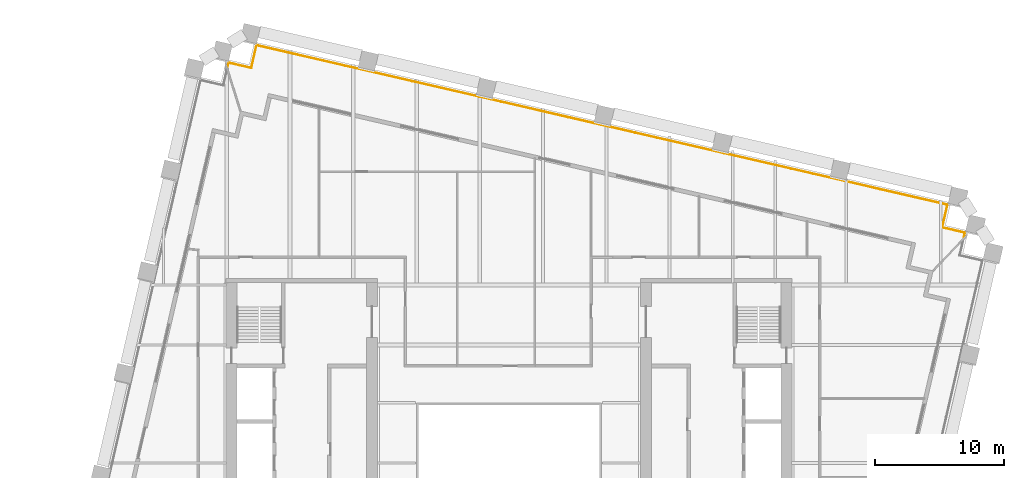
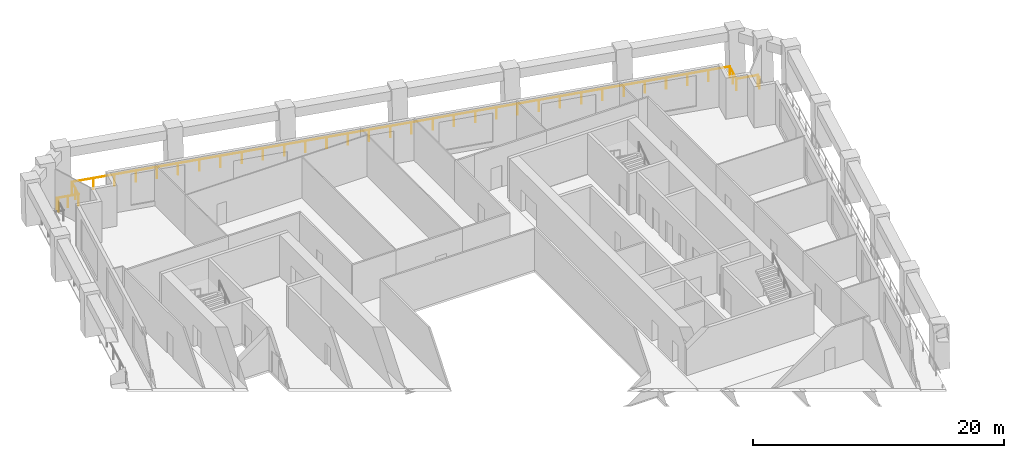
# One storey, part 10 of 10: 1 railing.
"""IFC4 building model written with IfcOpenShell, lengths in metres."""

from ifc_helpers import new_model, si_unit, direction, frame, origin, origin_2d, place, context, subcontext, project, spatial, circle, extrude, material, type_object, element, save


model = new_model("IFC4")

# Units and contexts
model_context = context("Model", 3, precision=1e-05, world=origin(), true_north=direction((0.0, 1.0)))
body_context = subcontext(model_context, "Body", "Model", "MODEL_VIEW")
ifc_project = project(units=[si_unit("LENGTHUNIT", "METRE"), si_unit("AREAUNIT", "SQUARE_METRE"), si_unit("VOLUMEUNIT", "CUBIC_METRE"), si_unit("PLANEANGLEUNIT", "RADIAN"), si_unit("MASSUNIT", "GRAM", prefix="KILO")], contexts=[model_context])

# Site, building, storey
site_placement = place(None, origin())
site = spatial("IfcSite", under=ifc_project, at=site_placement, CompositionType="ELEMENT")
building_placement = place(site_placement, origin())
building = spatial("IfcBuilding", under=site, at=building_placement, Name="Ogive Exchange Tower", CompositionType="ELEMENT")
storey_placement = place(building_placement, frame((0.0, 0.0, 118.199951171875)))
storey = spatial("IfcBuildingStorey", under=building, at=storey_placement, Name="L25", CompositionType="ELEMENT", Elevation=118.199951171875)

# Railing
ifc_material = material(Name="Stainless steel 316", Category="steel")
railing_type = type_object("IfcRailingType", Name="Guard 1100 stainless steel and glass", PredefinedType="GUARDRAIL", material=ifc_material)
railing_placement = place(storey_placement, frame((-21.733642578125, 42.078125, -0.050048828125)))
element("IfcRailing", 1, at=railing_placement, inside=storey, type_object=railing_type, Name="Loggia guard 3", PredefinedType="GUARDRAIL", context=body_context, shape_type="SweptSolid", body=[
    extrude(circle(Radius=0.02392578125, at=origin_2d()), frame((0.0, 0.0, 1.076171875), z_axis=(0.224444498611, 0.974486873715, 0.0), x_axis=(-0.974486873715, 0.224444498611, 0.0)), (0.0, 0.0, 1.0), 0.34375),
    extrude(circle(Radius=0.02392578125, at=origin_2d()), frame((0.0771484375, 0.3349609375, 1.076171875), z_axis=(0.974356896201, -0.225008086135, 0.0), x_axis=(0.225008086135, 0.974356896201, 0.0)), (0.0, 0.0, 1.0), 1.800048828125),
    extrude(circle(Radius=0.02392578125, at=origin_2d()), frame((1.8310546875, -0.070068359375, 1.076171875), z_axis=(0.225008086135, 0.974356896201, 0.0), x_axis=(-0.974356896201, 0.225008086135, 0.0)), (0.0, 0.0, 1.0), 1.800048828125),
    extrude(circle(Radius=0.02392578125, at=origin_2d()), frame((2.236083984375, 1.683837890625, 1.076171875), z_axis=(0.974369851199, -0.224951979483, 0.0), x_axis=(0.224951979483, 0.974369851199, 0.0)), (0.0, 0.0, 1.0), 54.760009765625),
    extrude(circle(Radius=0.02392578125, at=origin_2d()), frame((55.592529296875, -10.634521484375, 1.076171875), z_axis=(-0.224879318197, -0.974386623598, 0.0), x_axis=(0.974386623598, -0.224879318197, 0.0)), (0.0, 0.0, 1.0), 1.800048828125),
    extrude(circle(Radius=0.02392578125, at=origin_2d()), frame((55.187744140625, -12.388427734375, 1.076171875), z_axis=(0.974379763188, -0.224909041816, 0.0), x_axis=(0.224909041816, 0.974379763188, 0.0)), (0.0, 0.0, 1.0), 1.7998046875),
    extrude(circle(Radius=0.02392578125, at=origin_2d()), frame((56.94140625, -12.793212890625, 1.076171875), z_axis=(-0.224599951771, -0.974451056577, 0.0), x_axis=(0.974451056577, -0.224599951771, 0.0)), (0.0, 0.0, 1.0), 0.343505859375),
    extrude(circle(Radius=0.02099609375, at=origin_2d()), origin(), (0.0, 0.0, 1.0), 1.052001953125),
    extrude(circle(Radius=0.02099609375, at=origin_2d()), frame((0.0771484375, 0.3349609375, 0.0)), (0.0, 0.0, 1.0), 1.052001953125),
    extrude(circle(Radius=0.02099609375, at=origin_2d()), frame((0.9541015625, 0.13232421875, 0.0)), (0.0, 0.0, 1.0), 1.052001953125),
    extrude(circle(Radius=0.02099609375, at=origin_2d()), frame((1.8310546875, -0.070068359375, 0.0)), (0.0, 0.0, 1.0), 1.052001953125),
    extrude(circle(Radius=0.02099609375, at=origin_2d()), frame((2.03369140625, 0.806884765625, 0.0)), (0.0, 0.0, 1.0), 1.052001953125),
    extrude(circle(Radius=0.02099609375, at=origin_2d()), frame((2.236083984375, 1.683837890625, 0.0)), (0.0, 0.0, 1.0), 1.052001953125),
    extrude(circle(Radius=0.02099609375, at=origin_2d()), frame((3.957275390625, 1.286376953125, 0.0)), (0.0, 0.0, 1.0), 1.052001953125),
    extrude(circle(Radius=0.02099609375, at=origin_2d()), frame((5.678466796875, 0.88916015625, 0.0)), (0.0, 0.0, 1.0), 1.052001953125),
    extrude(circle(Radius=0.02099609375, at=origin_2d()), frame((7.399658203125, 0.49169921875, 0.0)), (0.0, 0.0, 1.0), 1.052001953125),
    extrude(circle(Radius=0.02099609375, at=origin_2d()), frame((9.120849609375, 0.094482421875, 0.0)), (0.0, 0.0, 1.0), 1.052001953125),
    extrude(circle(Radius=0.02099609375, at=origin_2d()), frame((10.842041015625, -0.302978515625, 0.0)), (0.0, 0.0, 1.0), 1.052001953125),
    extrude(circle(Radius=0.02099609375, at=origin_2d()), frame((12.563232421875, -0.700439453125, 0.0)), (0.0, 0.0, 1.0), 1.052001953125),
    extrude(circle(Radius=0.02099609375, at=origin_2d()), frame((14.284423828125, -1.09765625, 0.0)), (0.0, 0.0, 1.0), 1.052001953125),
    extrude(circle(Radius=0.02099609375, at=origin_2d()), frame((16.00537109375, -1.4951171875, 0.0)), (0.0, 0.0, 1.0), 1.052001953125),
    extrude(circle(Radius=0.02099609375, at=origin_2d()), frame((17.7265625, -1.892578125, 0.0)), (0.0, 0.0, 1.0), 1.052001953125),
    extrude(circle(Radius=0.02099609375, at=origin_2d()), frame((19.44775390625, -2.289794921875, 0.0)), (0.0, 0.0, 1.0), 1.052001953125),
    extrude(circle(Radius=0.02099609375, at=origin_2d()), frame((21.1689453125, -2.687255859375, 0.0)), (0.0, 0.0, 1.0), 1.052001953125),
    extrude(circle(Radius=0.02099609375, at=origin_2d()), frame((22.89013671875, -3.08447265625, 0.0)), (0.0, 0.0, 1.0), 1.052001953125),
    extrude(circle(Radius=0.02099609375, at=origin_2d()), frame((24.611328125, -3.48193359375, 0.0)), (0.0, 0.0, 1.0), 1.052001953125),
    extrude(circle(Radius=0.02099609375, at=origin_2d()), frame((26.33251953125, -3.87939453125, 0.0)), (0.0, 0.0, 1.0), 1.052001953125),
    extrude(circle(Radius=0.02099609375, at=origin_2d()), frame((28.0537109375, -4.276611328125, 0.0)), (0.0, 0.0, 1.0), 1.052001953125),
    extrude(circle(Radius=0.02099609375, at=origin_2d()), frame((29.77490234375, -4.674072265625, 0.0)), (0.0, 0.0, 1.0), 1.052001953125),
    extrude(circle(Radius=0.02099609375, at=origin_2d()), frame((31.49609375, -5.0712890625, 0.0)), (0.0, 0.0, 1.0), 1.052001953125),
    extrude(circle(Radius=0.02099609375, at=origin_2d()), frame((33.21728515625, -5.46875, 0.0)), (0.0, 0.0, 1.0), 1.052001953125),
    extrude(circle(Radius=0.02099609375, at=origin_2d()), frame((34.9384765625, -5.8662109375, 0.0)), (0.0, 0.0, 1.0), 1.052001953125),
    extrude(circle(Radius=0.02099609375, at=origin_2d()), frame((36.65966796875, -6.263427734375, 0.0)), (0.0, 0.0, 1.0), 1.052001953125),
    extrude(circle(Radius=0.02099609375, at=origin_2d()), frame((38.380859375, -6.660888671875, 0.0)), (0.0, 0.0, 1.0), 1.052001953125),
    extrude(circle(Radius=0.02099609375, at=origin_2d()), frame((40.10205078125, -7.05810546875, 0.0)), (0.0, 0.0, 1.0), 1.052001953125),
    extrude(circle(Radius=0.02099609375, at=origin_2d()), frame((41.8232421875, -7.45556640625, 0.0)), (0.0, 0.0, 1.0), 1.052001953125),
    extrude(circle(Radius=0.02099609375, at=origin_2d()), frame((43.544189453125, -7.85302734375, 0.0)), (0.0, 0.0, 1.0), 1.052001953125),
    extrude(circle(Radius=0.02099609375, at=origin_2d()), frame((45.265380859375, -8.250244140625, 0.0)), (0.0, 0.0, 1.0), 1.052001953125),
    extrude(circle(Radius=0.02099609375, at=origin_2d()), frame((46.986572265625, -8.647705078125, 0.0)), (0.0, 0.0, 1.0), 1.052001953125),
    extrude(circle(Radius=0.02099609375, at=origin_2d()), frame((48.707763671875, -9.045166015625, 0.0)), (0.0, 0.0, 1.0), 1.052001953125),
    extrude(circle(Radius=0.02099609375, at=origin_2d()), frame((50.428955078125, -9.4423828125, 0.0)), (0.0, 0.0, 1.0), 1.052001953125),
    extrude(circle(Radius=0.02099609375, at=origin_2d()), frame((52.150146484375, -9.83984375, 0.0)), (0.0, 0.0, 1.0), 1.052001953125),
    extrude(circle(Radius=0.02099609375, at=origin_2d()), frame((53.871337890625, -10.237060546875, 0.0)), (0.0, 0.0, 1.0), 1.052001953125),
    extrude(circle(Radius=0.02099609375, at=origin_2d()), frame((55.592529296875, -10.634521484375, 0.0)), (0.0, 0.0, 1.0), 1.052001953125),
    extrude(circle(Radius=0.02099609375, at=origin_2d()), frame((55.39013671875, -11.511474609375, 0.0)), (0.0, 0.0, 1.0), 1.052001953125),
    extrude(circle(Radius=0.02099609375, at=origin_2d()), frame((55.187744140625, -12.388427734375, 0.0)), (0.0, 0.0, 1.0), 1.052001953125),
    extrude(circle(Radius=0.02099609375, at=origin_2d()), frame((56.94140625, -12.793212890625, 0.0)), (0.0, 0.0, 1.0), 1.052001953125),
    extrude(circle(Radius=0.02099609375, at=origin_2d()), frame((56.8642578125, -13.1279296875, 0.0)), (0.0, 0.0, 1.0), 1.052001953125),
])

save(model, "model.ifc")
